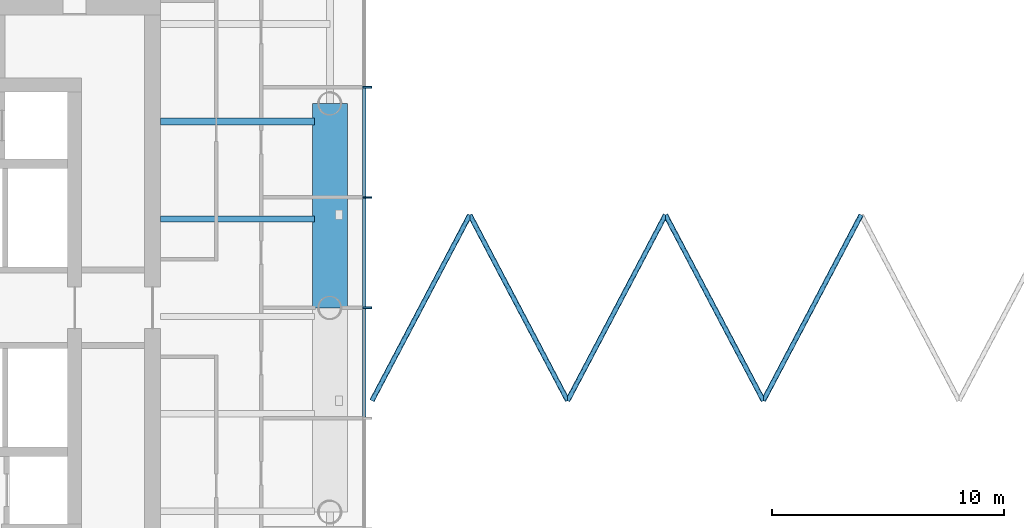
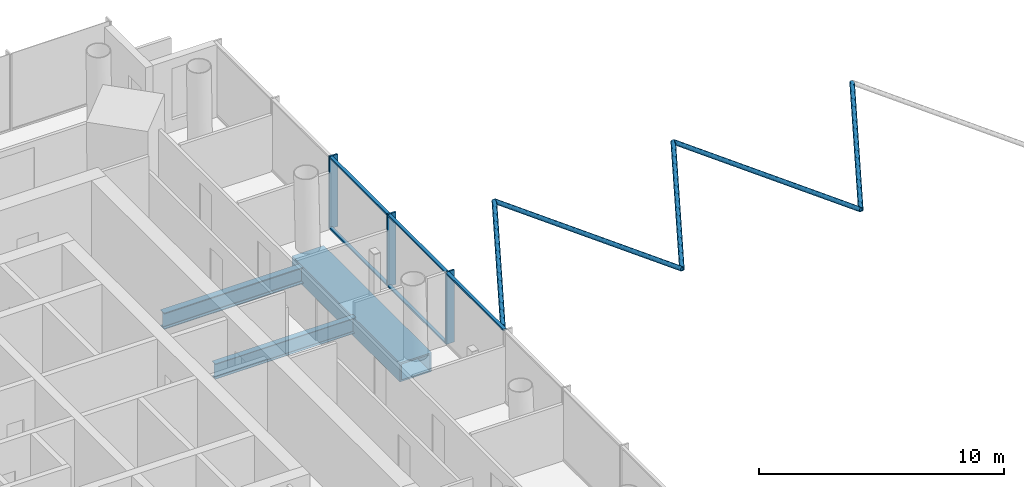
# One storey, part 3 of 19: 13 members, 3 beams, 1 element without a shape of its own.
"""IFC4 building model written with IfcOpenShell, lengths in metres."""

from ifc_helpers import new_model, si_unit, direction, frame, origin, origin_2d, place, context, subcontext, project, spatial, rectangle, hollow_rectangle, hollow_circle, i_section, extrude, material, material_profile, profile_set, type_object, element, aggregate, save


model = new_model("IFC4")

# Units and contexts
model_context = context("Model", 3, precision=1e-05, world=origin(), true_north=direction((0.0, 1.0)))
body_context = subcontext(model_context, "Body", "Model", "MODEL_VIEW")
ifc_project = project(units=[si_unit("LENGTHUNIT", "METRE"), si_unit("AREAUNIT", "SQUARE_METRE"), si_unit("VOLUMEUNIT", "CUBIC_METRE"), si_unit("PLANEANGLEUNIT", "RADIAN"), si_unit("MASSUNIT", "GRAM", prefix="KILO")], contexts=[model_context])

# Site, building, storey
site_placement = place(None, origin())
site = spatial("IfcSite", under=ifc_project, at=site_placement, CompositionType="ELEMENT")
building_placement = place(site_placement, origin())
building = spatial("IfcBuilding", under=site, at=building_placement, Name="Ostroluk Exchange", CompositionType="ELEMENT")
storey_placement = place(building_placement, frame((0.0, 0.0, 127.39990234375)))
storey = spatial("IfcBuildingStorey", under=building, at=storey_placement, Name="L32", CompositionType="ELEMENT", Elevation=127.39990234375)

# Beam
ifc_material_1 = material(Name="Steel S355", Category="steel")
ifc_material_profile_1 = material_profile(ifc_material_1, hollow_rectangle(XDim=1.5, YDim=0.949951171875, WallThickness=0.080078125, at=origin_2d()), Name="BOX 1500x950x80")
ifc_profile_set_1 = profile_set([ifc_material_profile_1], Name="Steel S355")
beam_type_1 = type_object("IfcBeamType", Name="Bridge landing beam BOX 1500x950x80", PredefinedType="BEAM", material=ifc_profile_set_1)
beam_1_placement = place(storey_placement, frame((65.60009765625, 46.0, -0.65478515625), z_axis=(0.0, 1.0, 0.0), x_axis=(-1.0, 0.0, 0.0)))
element("IfcBeam", 1, at=beam_1_placement, inside=storey, type_object=beam_type_1, Name="BR2 landing beam west 2", PredefinedType="BEAM", context=body_context, shape_type="SweptSolid", body=[
    extrude(hollow_rectangle(XDim=1.5, YDim=0.949951171875, WallThickness=0.080078125, at=origin_2d()), origin(), (0.0, 0.0, 1.0), 8.800048828125),
])

# Members
ifc_material_2 = material(Name="Steel S460", Category="steel")
ifc_material_profile_2 = material_profile(ifc_material_2, hollow_circle(Radius=0.109619140625, WallThickness=0.010009765625, at=origin_2d()), Name="CHS 219.1x10")
ifc_profile_set_2 = profile_set([ifc_material_profile_2], Name="Steel S460")
member_type_1 = type_object("IfcMemberType", Name="Bridge plan bracing CHS 219.1x10", PredefinedType="BRACE", material=ifc_profile_set_2)
for number, where, z_axis, x_axis, name in (
    (2, (67.39990234375, 42.0, 3.093994140625), (0.465930052274, 0.88482155624, 0.0), (-0.88482155624, 0.465930052274, 0.0), "BR2 deck plan brace 1"),
    (3, (71.612548828125, 50.0, 3.093994140625), (0.465908911283, -0.884832688358, 0.0), (0.884832688358, 0.465908911283, 0.0), "BR2 deck plan brace 2"),
    (4, (75.824951171875, 42.0, 3.093994140625), (0.465930052274, 0.88482155624, 0.0), (-0.88482155624, 0.465930052274, 0.0), "BR2 deck plan brace 3"),
    (5, (80.03759765625, 50.0, 3.093994140625), (0.465908911283, -0.884832688358, 0.0), (0.884832688358, 0.465908911283, 0.0), "BR2 deck plan brace 4"),
    (6, (84.25, 42.0, 3.093994140625), (0.465908911283, 0.884832688358, 0.0), (-0.884832688358, 0.465908911283, 0.0), "BR2 deck plan brace 5"),
):
    element("IfcMember", number, at=place(storey_placement, frame(where, z_axis=z_axis, x_axis=x_axis)), inside=storey, type_object=member_type_1, Name=name, PredefinedType="BRACE", context=body_context, shape_type="SweptSolid", body=[
        extrude(hollow_circle(Radius=0.109619140625, WallThickness=0.010009765625, at=origin_2d()), origin(), (0.0, 0.0, 1.0), 9.041259765625),
    ])

# Beams
ifc_material_3 = material(Name="Steel S355", Category="steel")
ifc_material_profile_3 = material_profile(ifc_material_3, i_section(OverallWidth=0.302978515625, OverallDepth=0.81396484375, WebThickness=0.02099609375, FlangeThickness=0.0400390625, FilletRadius=0.030029296875, at=origin_2d()), Name="HEM 800")
ifc_profile_set_3 = profile_set([ifc_material_profile_3], Name="Steel S355")
beam_type_2 = type_object("IfcBeamType", Name="Floor beam HEM 800", PredefinedType="BEAM", material=ifc_profile_set_3)
beam_2_placement = place(storey_placement, frame((58.300048828125, 54.018798828125, -0.5869140625), z_axis=(1.0, 0.0, 0.0), x_axis=(0.0, 1.0, 0.0)))
element("IfcBeam", 7, at=beam_2_placement, inside=storey, type_object=beam_type_2, Name="T1 east floor beam 5", PredefinedType="BEAM", context=body_context, shape_type="SweptSolid", body=[
    extrude(i_section(OverallWidth=0.302978515625, OverallDepth=0.81396484375, WebThickness=0.02099609375, FlangeThickness=0.0400390625, FilletRadius=0.030029296875, at=origin_2d()), origin(), (0.0, 0.0, 1.0), 6.6298828125),
])
ifc_material_4 = material(Name="Steel S355", Category="steel")
ifc_material_profile_4 = material_profile(ifc_material_4, i_section(OverallWidth=0.26708984375, OverallDepth=0.761962890625, WebThickness=0.014404296875, FlangeThickness=0.021484375, FilletRadius=0.01708984375, at=origin_2d()), Name="IPE 750x173")
ifc_profile_set_4 = profile_set([ifc_material_profile_4], Name="Steel S355")
beam_type_3 = type_object("IfcBeamType", Name="Floor beam IPE 750x173", PredefinedType="BEAM", material=ifc_profile_set_4)
beam_3_placement = place(storey_placement, frame((58.300048828125, 49.824951171875, -0.560791015625), z_axis=(1.0, 0.0, 0.0), x_axis=(0.0, 1.0, 0.0)))
element("IfcBeam", 8, at=beam_3_placement, inside=storey, type_object=beam_type_3, Name="T1 east floor beam 4", PredefinedType="BEAM", context=body_context, shape_type="SweptSolid", body=[
    extrude(i_section(OverallWidth=0.26708984375, OverallDepth=0.761962890625, WebThickness=0.014404296875, FlangeThickness=0.021484375, FilletRadius=0.01708984375, at=origin_2d()), origin(), (0.0, 0.0, 1.0), 6.6298828125),
])

# Curtain wall, members
ifc_material_5 = material(Name="Laminated clear glass", Category="glass")
curtain_wall_type = type_object("IfcCurtainWallType", Name="Office tower facade", PredefinedType="USERDEFINED", material=ifc_material_5)
curtain_wall_placement = place(storey_placement, origin())
curtain_wall = element("IfcCurtainWall", 9, at=curtain_wall_placement, inside=storey, type_object=curtain_wall_type, Name="Office tower east facade L32", ObjectType="UNITISED CURTAIN WALL", PredefinedType="USERDEFINED")
ifc_material_6 = material(Name="Aluminium mullion", Category="aluminium")
ifc_material_profile_5 = material_profile(ifc_material_6, rectangle(XDim=0.14990234375, YDim=0.080078125, at=origin_2d()), Name="Sill transom 80 x 150")
ifc_profile_set_5 = profile_set([ifc_material_profile_5], Name="Aluminium mullion")
member_type_2 = type_object("IfcMemberType", Name="Sill transom 80 x 150", PredefinedType="USERDEFINED", material=ifc_profile_set_5)
member_1_placement = place(storey_placement, frame((67.074951171875, 41.2900390625, 3.56005859375), z_axis=(0.0, 1.0, 0.0), x_axis=(-1.0, 0.0, 0.0)))
member_1 = element("IfcMember", 10, at=member_1_placement, type_object=member_type_2, Name="CW-O1 transom 4.2", ObjectType="TRANSOM", PredefinedType="USERDEFINED", context=body_context, shape_type="SweptSolid", body=[
    extrude(rectangle(XDim=0.14990234375, YDim=0.080078125, at=origin_2d()), origin(), (0.0, 0.0, 1.0), 4.669921875),
])
member_2_placement = place(storey_placement, frame((67.074951171875, 46.0400390625, 0.0400390625), z_axis=(0.0, 1.0, 0.0), x_axis=(-1.0, 0.0, 0.0)))
member_2 = element("IfcMember", 11, at=member_2_placement, type_object=member_type_2, Name="CW-O1 transom 5.1", ObjectType="TRANSOM", PredefinedType="USERDEFINED", context=body_context, shape_type="SweptSolid", body=[
    extrude(rectangle(XDim=0.14990234375, YDim=0.080078125, at=origin_2d()), origin(), (0.0, 0.0, 1.0), 4.669921875),
])
member_3_placement = place(storey_placement, frame((67.074951171875, 46.0400390625, 3.56005859375), z_axis=(0.0, 1.0, 0.0), x_axis=(-1.0, 0.0, 0.0)))
member_3 = element("IfcMember", 12, at=member_3_placement, type_object=member_type_2, Name="CW-O1 transom 5.2", ObjectType="TRANSOM", PredefinedType="USERDEFINED", context=body_context, shape_type="SweptSolid", body=[
    extrude(rectangle(XDim=0.14990234375, YDim=0.080078125, at=origin_2d()), origin(), (0.0, 0.0, 1.0), 4.669921875),
])
member_4_placement = place(storey_placement, frame((67.074951171875, 50.7900390625, 0.0400390625), z_axis=(0.0, 1.0, 0.0), x_axis=(-1.0, 0.0, 0.0)))
member_4 = element("IfcMember", 13, at=member_4_placement, type_object=member_type_2, Name="CW-O1 transom 6.1", ObjectType="TRANSOM", PredefinedType="USERDEFINED", context=body_context, shape_type="SweptSolid", body=[
    extrude(rectangle(XDim=0.14990234375, YDim=0.080078125, at=origin_2d()), origin(), (0.0, 0.0, 1.0), 4.669921875),
])
member_5_placement = place(storey_placement, frame((67.074951171875, 50.7900390625, 3.56005859375), z_axis=(0.0, 1.0, 0.0), x_axis=(-1.0, 0.0, 0.0)))
member_5 = element("IfcMember", 14, at=member_5_placement, type_object=member_type_2, Name="CW-O1 transom 6.2", ObjectType="TRANSOM", PredefinedType="USERDEFINED", context=body_context, shape_type="SweptSolid", body=[
    extrude(rectangle(XDim=0.14990234375, YDim=0.080078125, at=origin_2d()), origin(), (0.0, 0.0, 1.0), 4.669921875),
])
ifc_material_7 = material(Name="Aluminium mullion with limestone facing", Category="masonry")
ifc_material_profile_6 = material_profile(ifc_material_7, rectangle(XDim=0.39990234375, YDim=0.080078125, at=origin_2d()), Name="Tracery mullion 80 x 400")
ifc_profile_set_6 = profile_set([ifc_material_profile_6], Name="Aluminium mullion with limestone facing")
member_type_3 = type_object("IfcMemberType", Name="Tracery mullion 80 x 400", PredefinedType="MULLION", material=ifc_profile_set_6)
member_6_placement = place(storey_placement, frame((67.199951171875, 46.0, 0.0), z_axis=(0.0, 0.0, 1.0), x_axis=(-1.0, 0.0, 0.0)))
member_6 = element("IfcMember", 15, at=member_6_placement, type_object=member_type_3, Name="CW-O1 mullion 5", PredefinedType="MULLION", context=body_context, shape_type="SweptSolid", body=[
    extrude(rectangle(XDim=0.39990234375, YDim=0.080078125, at=origin_2d()), origin(), (0.0, 0.0, 1.0), 3.60009765625),
])
member_7_placement = place(storey_placement, frame((67.199951171875, 50.75, 0.0), z_axis=(0.0, 0.0, 1.0), x_axis=(-1.0, 0.0, 0.0)))
member_7 = element("IfcMember", 16, at=member_7_placement, type_object=member_type_3, Name="CW-O1 mullion 6", PredefinedType="MULLION", context=body_context, shape_type="SweptSolid", body=[
    extrude(rectangle(XDim=0.39990234375, YDim=0.080078125, at=origin_2d()), origin(), (0.0, 0.0, 1.0), 3.60009765625),
])
member_8_placement = place(storey_placement, frame((67.199951171875, 55.5, 0.0), z_axis=(0.0, 0.0, 1.0), x_axis=(-1.0, 0.0, 0.0)))
member_8 = element("IfcMember", 17, at=member_8_placement, type_object=member_type_3, Name="CW-O1 mullion 7", PredefinedType="MULLION", context=body_context, shape_type="SweptSolid", body=[
    extrude(rectangle(XDim=0.39990234375, YDim=0.080078125, at=origin_2d()), origin(), (0.0, 0.0, 1.0), 3.60009765625),
])
aggregate(curtain_wall, [member_6, member_7, member_8, member_1, member_2, member_3, member_4, member_5])

save(model, "model.ifc")
